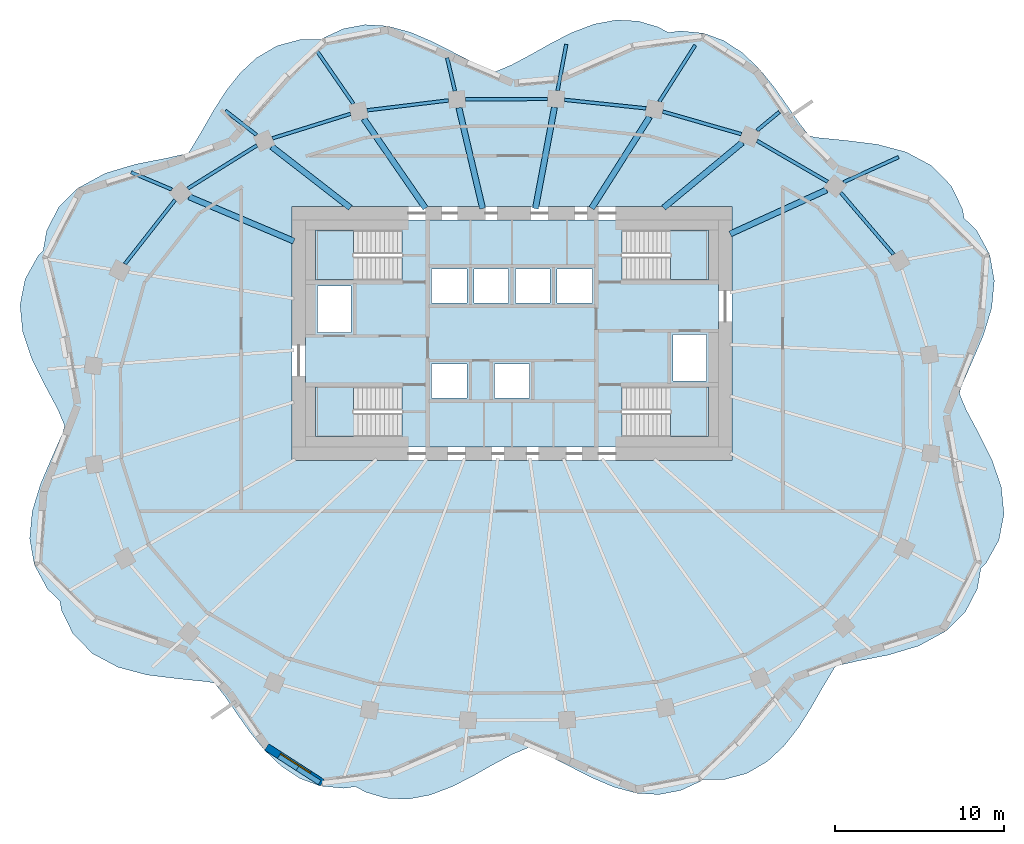
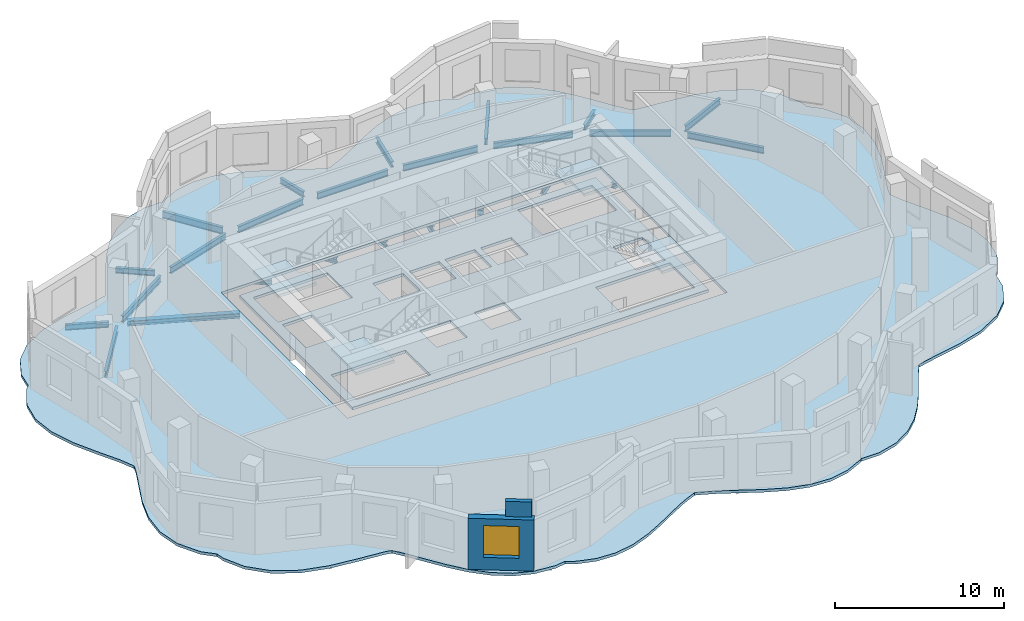
# One storey, part 2 of 8: 25 beams, 6 slabs, 2 walls, 1 window, 1 opening, 4 elements without a shape of their own.
"""IFC4 building model written with IfcOpenShell, lengths in metres."""

from ifc_helpers import new_model, si_unit, direction, frame, frame_2d, origin, origin_2d, place, context, subcontext, project, spatial, polyline, rectangle, i_section, outline, extrude, material, layer, layer_set, material_profile, profile_set, type_object, element, fill, aggregate, save


model = new_model("IFC4")

# Units and contexts
model_context = context("Model", 3, precision=1e-05, world=origin(), true_north=direction((0.0, 1.0)))
body_context = subcontext(model_context, "Body", "Model", "MODEL_VIEW")
ifc_project = project(units=[si_unit("LENGTHUNIT", "METRE"), si_unit("AREAUNIT", "SQUARE_METRE"), si_unit("VOLUMEUNIT", "CUBIC_METRE"), si_unit("PLANEANGLEUNIT", "RADIAN"), si_unit("MASSUNIT", "GRAM", prefix="KILO")], contexts=[model_context])

# Site, building, storey
site_placement = place(None, origin())
site = spatial("IfcSite", under=ifc_project, at=site_placement, CompositionType="ELEMENT")
building_placement = place(site_placement, origin())
building = spatial("IfcBuilding", under=site, at=building_placement, Name="Rubra Terraces Tower", CompositionType="ELEMENT")
storey_placement = place(building_placement, frame((0.0, 0.0, 240.89990234375)))
storey = spatial("IfcBuildingStorey", under=building, at=storey_placement, Name="L59", CompositionType="ELEMENT", Elevation=240.89990234375)

# Beams
ifc_material_1 = material(Name="Steel Q355B", Category="steel")
ifc_material_profile_1 = material_profile(ifc_material_1, i_section(OverallWidth=0.199951171875, OverallDepth=0.39990234375, WebThickness=0.008056640625, FlangeThickness=0.012939453125, at=origin_2d()), Name="HN 400x200x8x13")
ifc_profile_set_1 = profile_set([ifc_material_profile_1], Name="Steel Q355B")
beam_type_1 = type_object("IfcBeamType", Name="CANTILEVER BEAM HN 400x200x8x13", PredefinedType="BEAM", material=ifc_profile_set_1)
beam_1_placement = place(storey_placement, frame((14.47509765625, 16.4951171875, -0.39990234375), z_axis=(0.77029770599, 0.637684439316, 0.0), x_axis=(-0.637684439316, 0.77029770599, 0.0)))
element("IfcBeam", 1, at=beam_1_placement, inside=storey, type_object=beam_type_1, Name="beam-L59-cant-04", PredefinedType="BEAM", context=body_context, shape_type="SweptSolid", body=[
    extrude(i_section(OverallWidth=0.199951171875, OverallDepth=0.39990234375, WebThickness=0.008056640625, FlangeThickness=0.012939453125, at=origin_2d()), origin(), (0.0, 0.0, 1.0), 1.712158203125),
])
beam_2_placement = place(storey_placement, frame((2.695068359375, 18.85400390625, -0.39990234375), z_axis=(0.184719314681, 0.982791318024, 0.0), x_axis=(-0.982791318024, 0.184719314681, 0.0)))
element("IfcBeam", 2, at=beam_2_placement, inside=storey, type_object=beam_type_1, Name="beam-L59-cant-06", PredefinedType="BEAM", context=body_context, shape_type="SweptSolid", body=[
    extrude(i_section(OverallWidth=0.199951171875, OverallDepth=0.39990234375, WebThickness=0.008056640625, FlangeThickness=0.012939453125, at=origin_2d()), origin(), (0.0, 0.0, 1.0), 2.771484375),
])
beam_3_placement = place(storey_placement, frame((-3.3701171875, 18.823974609375, -0.39990234375), z_axis=(-0.229039333726, 0.973417168334, 0.0), x_axis=(-0.973417168334, -0.229039333726, 0.0)))
element("IfcBeam", 3, at=beam_3_placement, inside=storey, type_object=beam_type_1, Name="beam-L59-cant-07", PredefinedType="BEAM", context=body_context, shape_type="SweptSolid", body=[
    extrude(i_section(OverallWidth=0.199951171875, OverallDepth=0.39990234375, WebThickness=0.008056640625, FlangeThickness=0.012939453125, at=origin_2d()), origin(), (0.0, 0.0, 1.0), 2.016845703125),
])
beam_4_placement = place(storey_placement, frame((-15.087890625, 16.22705078125, -0.39990234375), z_axis=(-0.789644202525, 0.613565019716, 0.0), x_axis=(-0.613565019716, -0.789644202525, 0.0)))
element("IfcBeam", 4, at=beam_4_placement, inside=storey, type_object=beam_type_1, Name="beam-L59-cant-09", PredefinedType="BEAM", context=body_context, shape_type="SweptSolid", body=[
    extrude(i_section(OverallWidth=0.199951171875, OverallDepth=0.39990234375, WebThickness=0.008056640625, FlangeThickness=0.012939453125, at=origin_2d()), origin(), (0.0, 0.0, 1.0), 2.340576171875),
])
beam_5_placement = place(storey_placement, frame((-20.10205078125, 13.0048828125, -0.39990234375), z_axis=(-0.920891110766, 0.389819909846, 0.0), x_axis=(-0.389819909846, -0.920891110766, 0.0)))
element("IfcBeam", 5, at=beam_5_placement, inside=storey, type_object=beam_type_1, Name="beam-L59-cant-10", PredefinedType="BEAM", context=body_context, shape_type="SweptSolid", body=[
    extrude(i_section(OverallWidth=0.199951171875, OverallDepth=0.39990234375, WebThickness=0.008056640625, FlangeThickness=0.012939453125, at=origin_2d()), origin(), (0.0, 0.0, 1.0), 2.611572265625),
])
ifc_material_profile_2 = material_profile(ifc_material_1, i_section(OverallWidth=0.198974609375, OverallDepth=0.446044921875, WebThickness=0.008056640625, FlangeThickness=0.011962890625, at=origin_2d()), Name="HN 446x199x8x12")
ifc_profile_set_2 = profile_set([ifc_material_profile_2], Name="Steel Q355B")
beam_type_2 = type_object("IfcBeamType", Name="CANTILEVER BEAM HN 446x199x8x12", PredefinedType="BEAM", material=ifc_profile_set_2)
beam_6_placement = place(storey_placement, frame((19.596923828125, 13.43896484375, -0.4228515625), z_axis=(0.909750987553, 0.415154357614, 0.0), x_axis=(-0.415154357614, 0.909750987553, 0.0)))
element("IfcBeam", 6, at=beam_6_placement, inside=storey, type_object=beam_type_2, Name="beam-L59-cant-03", PredefinedType="BEAM", context=body_context, shape_type="SweptSolid", body=[
    extrude(i_section(OverallWidth=0.198974609375, OverallDepth=0.446044921875, WebThickness=0.008056640625, FlangeThickness=0.011962890625, at=origin_2d()), origin(), (0.0, 0.0, 1.0), 3.56494140625),
])
ifc_material_profile_3 = material_profile(ifc_material_1, i_section(OverallWidth=0.198974609375, OverallDepth=0.49609375, WebThickness=0.009033203125, FlangeThickness=0.013916015625, at=origin_2d()), Name="HN 496x199x9x14")
ifc_profile_set_3 = profile_set([ifc_material_profile_3], Name="Steel Q355B")
beam_type_3 = type_object("IfcBeamType", Name="CANTILEVER BEAM HN 496x199x9x14", PredefinedType="BEAM", material=ifc_profile_set_3)
beam_7_placement = place(storey_placement, frame((8.7099609375, 18.201904296875, -0.447998046875), z_axis=(0.536427545347, 0.843946377795, 0.0), x_axis=(-0.843946377795, 0.536427545347, 0.0)))
element("IfcBeam", 7, at=beam_7_placement, inside=storey, type_object=beam_type_3, Name="beam-L59-cant-05", PredefinedType="BEAM", context=body_context, shape_type="SweptSolid", body=[
    extrude(i_section(OverallWidth=0.198974609375, OverallDepth=0.49609375, WebThickness=0.009033203125, FlangeThickness=0.013916015625, at=origin_2d()), origin(), (0.0, 0.0, 1.0), 3.950439453125),
])
beam_8_placement = place(storey_placement, frame((-9.3701171875, 18.070068359375, -0.447998046875), z_axis=(-0.568216621414, 0.822879013676, 0.0), x_axis=(-0.822879013676, -0.568216621414, 0.0)))
element("IfcBeam", 8, at=beam_8_placement, inside=storey, type_object=beam_type_3, Name="beam-L59-cant-08", PredefinedType="BEAM", context=body_context, shape_type="SweptSolid", body=[
    extrude(i_section(OverallWidth=0.198974609375, OverallDepth=0.49609375, WebThickness=0.009033203125, FlangeThickness=0.013916015625, at=origin_2d()), origin(), (0.0, 0.0, 1.0), 3.95068359375),
])
ifc_material_profile_4 = material_profile(ifc_material_1, i_section(OverallWidth=0.35009765625, OverallDepth=0.35009765625, WebThickness=0.011962890625, FlangeThickness=0.01904296875, at=origin_2d()), Name="HW 350x350x12x19")
ifc_profile_set_4 = profile_set([ifc_material_profile_4], Name="Steel Q355B")
beam_type_4 = type_object("IfcBeamType", Name="FLOOR BEAM HW 350x350x12x19", PredefinedType="BEAM", material=ifc_profile_set_4)
beam_9_placement = place(storey_placement, frame((18.5869140625, 12.97900390625, -0.375), z_axis=(-0.909756526533, -0.415142219523, 0.0), x_axis=(0.415142219523, -0.909756526533, 0.0)))
element("IfcBeam", 9, at=beam_9_placement, inside=storey, type_object=beam_type_4, Name="beam-L59-floor-03", PredefinedType="BEAM", context=body_context, shape_type="SweptSolid", body=[
    extrude(i_section(OverallWidth=0.35009765625, OverallDepth=0.35009765625, WebThickness=0.011962890625, FlangeThickness=0.01904296875, at=origin_2d()), origin(), (0.0, 0.0, 1.0), 6.2607421875),
])
beam_10_placement = place(storey_placement, frame((13.60888671875, 15.777099609375, -0.375), z_axis=(-0.769987518392, -0.638058948312, 0.0), x_axis=(0.638058948312, -0.769987518392, 0.0)))
element("IfcBeam", 10, at=beam_10_placement, inside=storey, type_object=beam_type_4, Name="beam-L59-floor-04", PredefinedType="BEAM", context=body_context, shape_type="SweptSolid", body=[
    extrude(i_section(OverallWidth=0.35009765625, OverallDepth=0.35009765625, WebThickness=0.011962890625, FlangeThickness=0.01904296875, at=origin_2d()), origin(), (0.0, 0.0, 1.0), 6.040283203125),
])
beam_11_placement = place(storey_placement, frame((8.134033203125, 17.2958984375, -0.375), z_axis=(-0.536509861106, -0.843894050776, 0.0), x_axis=(0.843894050776, -0.536509861106, 0.0)))
element("IfcBeam", 11, at=beam_11_placement, inside=storey, type_object=beam_type_4, Name="beam-L59-floor-05", PredefinedType="BEAM", context=body_context, shape_type="SweptSolid", body=[
    extrude(i_section(OverallWidth=0.35009765625, OverallDepth=0.35009765625, WebThickness=0.011962890625, FlangeThickness=0.01904296875, at=origin_2d()), origin(), (0.0, 0.0, 1.0), 6.395263671875),
])
beam_12_placement = place(storey_placement, frame((2.509033203125, 17.862060546875, -0.375), z_axis=(-0.184574398021, -0.982818544593, 0.0), x_axis=(0.982818544593, -0.184574398021, 0.0)))
element("IfcBeam", 12, at=beam_12_placement, inside=storey, type_object=beam_type_4, Name="beam-L59-floor-06", PredefinedType="BEAM", context=body_context, shape_type="SweptSolid", body=[
    extrude(i_section(OverallWidth=0.35009765625, OverallDepth=0.35009765625, WebThickness=0.011962890625, FlangeThickness=0.01904296875, at=origin_2d()), origin(), (0.0, 0.0, 1.0), 6.08447265625),
])
beam_13_placement = place(storey_placement, frame((-3.137939453125, 17.8359375, -0.375), z_axis=(0.229070485592, -0.973409837957, 0.0), x_axis=(0.973409837957, 0.229070485592, 0.0)))
element("IfcBeam", 13, at=beam_13_placement, inside=storey, type_object=beam_type_4, Name="beam-L59-floor-07", PredefinedType="BEAM", context=body_context, shape_type="SweptSolid", body=[
    extrude(i_section(OverallWidth=0.35009765625, OverallDepth=0.35009765625, WebThickness=0.011962890625, FlangeThickness=0.01904296875, at=origin_2d()), origin(), (0.0, 0.0, 1.0), 6.115478515625),
])
beam_14_placement = place(storey_placement, frame((-8.756103515625, 17.179931640625, -0.375), z_axis=(0.568186422001, -0.822899866238, 0.0), x_axis=(0.822899866238, 0.568186422001, 0.0)))
element("IfcBeam", 14, at=beam_14_placement, inside=storey, type_object=beam_type_4, Name="beam-L59-floor-08", PredefinedType="BEAM", context=body_context, shape_type="SweptSolid", body=[
    extrude(i_section(OverallWidth=0.35009765625, OverallDepth=0.35009765625, WebThickness=0.011962890625, FlangeThickness=0.01904296875, at=origin_2d()), origin(), (0.0, 0.0, 1.0), 6.415283203125),
])
beam_15_placement = place(storey_placement, frame((-14.197998046875, 15.534912109375, -0.375), z_axis=(0.789548898228, -0.613687654517, 0.0), x_axis=(0.613687654517, 0.789548898228, 0.0)))
element("IfcBeam", 15, at=beam_15_placement, inside=storey, type_object=beam_type_4, Name="beam-L59-floor-09", PredefinedType="BEAM", context=body_context, shape_type="SweptSolid", body=[
    extrude(i_section(OverallWidth=0.35009765625, OverallDepth=0.35009765625, WebThickness=0.011962890625, FlangeThickness=0.01904296875, at=origin_2d()), origin(), (0.0, 0.0, 1.0), 5.880615234375),
])
beam_16_placement = place(storey_placement, frame((-19.083984375, 12.574951171875, -0.375), z_axis=(0.92097476483, -0.38962223056, 0.0), x_axis=(0.38962223056, 0.92097476483, 0.0)))
element("IfcBeam", 16, at=beam_16_placement, inside=storey, type_object=beam_type_4, Name="beam-L59-floor-10", PredefinedType="BEAM", context=body_context, shape_type="SweptSolid", body=[
    extrude(i_section(OverallWidth=0.35009765625, OverallDepth=0.35009765625, WebThickness=0.011962890625, FlangeThickness=0.01904296875, at=origin_2d()), origin(), (0.0, 0.0, 1.0), 6.7265625),
])
ifc_material_profile_5 = material_profile(ifc_material_1, i_section(OverallWidth=0.198974609375, OverallDepth=0.446044921875, WebThickness=0.008056640625, FlangeThickness=0.011962890625, at=origin_2d()), Name="HN 446x199x8x12")
ifc_profile_set_5 = profile_set([ifc_material_profile_5], Name="Steel Q355B")
beam_type_5 = type_object("IfcBeamType", Name="SPANDREL BEAM HN 446x199x8x12", PredefinedType="SPANDREL", material=ifc_profile_set_5)
beam_17_placement = place(storey_placement, frame((22.547119140625, 9.174072265625, -0.4228515625), z_axis=(-0.650372836218, 0.759615148552, 0.0), x_axis=(-0.759615148552, -0.650372836218, 0.0)))
element("IfcBeam", 17, at=beam_17_placement, inside=storey, type_object=beam_type_5, Name="beam-L59-spandrel-02", PredefinedType="SPANDREL", context=body_context, shape_type="SweptSolid", body=[
    extrude(i_section(OverallWidth=0.198974609375, OverallDepth=0.446044921875, WebThickness=0.008056640625, FlangeThickness=0.011962890625, at=origin_2d()), origin(), (0.0, 0.0, 1.0), 4.804931640625),
])
beam_18_placement = place(storey_placement, frame((18.653076171875, 13.462890625, -0.4228515625), z_axis=(-0.865153680787, 0.501506838059, 0.0), x_axis=(-0.501506838059, -0.865153680787, 0.0)))
element("IfcBeam", 18, at=beam_18_placement, inside=storey, type_object=beam_type_5, Name="beam-L59-spandrel-03", PredefinedType="SPANDREL", context=body_context, shape_type="SweptSolid", body=[
    extrude(i_section(OverallWidth=0.198974609375, OverallDepth=0.446044921875, WebThickness=0.008056640625, FlangeThickness=0.011962890625, at=origin_2d()), origin(), (0.0, 0.0, 1.0), 4.82568359375),
])
beam_19_placement = place(storey_placement, frame((13.55810546875, 16.27490234375, -0.4228515625), z_axis=(-0.961171164323, 0.275952881621, 0.0), x_axis=(-0.275952881621, -0.961171164323, 0.0)))
element("IfcBeam", 19, at=beam_19_placement, inside=storey, type_object=beam_type_5, Name="beam-L59-spandrel-04", PredefinedType="SPANDREL", context=body_context, shape_type="SweptSolid", body=[
    extrude(i_section(OverallWidth=0.198974609375, OverallDepth=0.446044921875, WebThickness=0.008056640625, FlangeThickness=0.011962890625, at=origin_2d()), origin(), (0.0, 0.0, 1.0), 4.842041015625),
])
beam_20_placement = place(storey_placement, frame((7.923095703125, 17.801025390625, -0.4228515625), z_axis=(-0.994565426955, 0.104113454971, 0.0), x_axis=(-0.104113454971, -0.994565426955, 0.0)))
element("IfcBeam", 20, at=beam_20_placement, inside=storey, type_object=beam_type_5, Name="beam-L59-spandrel-05", PredefinedType="SPANDREL", context=body_context, shape_type="SweptSolid", body=[
    extrude(i_section(OverallWidth=0.198974609375, OverallDepth=0.446044921875, WebThickness=0.008056640625, FlangeThickness=0.011962890625, at=origin_2d()), origin(), (0.0, 0.0, 1.0), 4.849365234375),
])
beam_21_placement = place(storey_placement, frame((2.10107421875, 18.35595703125, -0.4228515625), z_axis=(-0.999987852299, -0.004929021704, 0.0), x_axis=(0.004929021704, -0.999987852299, 0.0)))
element("IfcBeam", 21, at=beam_21_placement, inside=storey, type_object=beam_type_5, Name="beam-L59-spandrel-06", PredefinedType="SPANDREL", context=body_context, shape_type="SweptSolid", body=[
    extrude(i_section(OverallWidth=0.198974609375, OverallDepth=0.446044921875, WebThickness=0.008056640625, FlangeThickness=0.011962890625, at=origin_2d()), origin(), (0.0, 0.0, 1.0), 4.85400390625),
])
beam_22_placement = place(storey_placement, frame((-3.7509765625, 18.27001953125, -0.4228515625), z_axis=(-0.992698018573, -0.120626049929, 0.0), x_axis=(0.120626049929, -0.992698018573, 0.0)))
element("IfcBeam", 22, at=beam_22_placement, inside=storey, type_object=beam_type_5, Name="beam-L59-spandrel-07", PredefinedType="SPANDREL", context=body_context, shape_type="SweptSolid", body=[
    extrude(i_section(OverallWidth=0.198974609375, OverallDepth=0.446044921875, WebThickness=0.008056640625, FlangeThickness=0.011962890625, at=origin_2d()), origin(), (0.0, 0.0, 1.0), 4.849365234375),
])
beam_23_placement = place(storey_placement, frame((-9.5419921875, 17.47509765625, -0.4228515625), z_axis=(-0.954462027342, -0.298332429282, 0.0), x_axis=(0.298332429282, -0.954462027342, 0.0)))
element("IfcBeam", 23, at=beam_23_placement, inside=storey, type_object=beam_type_5, Name="beam-L59-spandrel-08", PredefinedType="SPANDREL", context=body_context, shape_type="SweptSolid", body=[
    extrude(i_section(OverallWidth=0.198974609375, OverallDepth=0.446044921875, WebThickness=0.008056640625, FlangeThickness=0.011962890625, at=origin_2d()), origin(), (0.0, 0.0, 1.0), 4.840576171875),
])
beam_24_placement = place(storey_placement, frame((-15.071044921875, 15.614013671875, -0.4228515625), z_axis=(-0.848183088492, -0.529703170083, 0.0), x_axis=(0.529703170083, -0.848183088492, 0.0)))
element("IfcBeam", 24, at=beam_24_placement, inside=storey, type_object=beam_type_5, Name="beam-L59-spandrel-09", PredefinedType="SPANDREL", context=body_context, shape_type="SweptSolid", body=[
    extrude(i_section(OverallWidth=0.198974609375, OverallDepth=0.446044921875, WebThickness=0.008056640625, FlangeThickness=0.011962890625, at=origin_2d()), origin(), (0.0, 0.0, 1.0), 4.8232421875),
])
beam_25_placement = place(storey_placement, frame((-19.906005859375, 12.39111328125, -0.4228515625), z_axis=(-0.617060338015, -0.786915840004, 0.0), x_axis=(0.786915840004, -0.617060338015, 0.0)))
element("IfcBeam", 25, at=beam_25_placement, inside=storey, type_object=beam_type_5, Name="beam-L59-spandrel-10", PredefinedType="SPANDREL", context=body_context, shape_type="SweptSolid", body=[
    extrude(i_section(OverallWidth=0.198974609375, OverallDepth=0.446044921875, WebThickness=0.008056640625, FlangeThickness=0.011962890625, at=origin_2d()), origin(), (0.0, 0.0, 1.0), 4.8037109375),
])

# Slab
ifc_material_2 = material(Name="Concrete C40", Category="concrete")
ifc_layer_1 = layer(ifc_material_2, 0.199951171875)
ifc_layer_set_1 = layer_set([ifc_layer_1], Name="Concrete C40")
slab_type_1 = type_object("IfcSlabType", Name="Core floor slab 200 concrete", PredefinedType="FLOOR", material=ifc_layer_set_1)
slab_1_placement = place(storey_placement, frame((0.0, 0.0, -0.199951171875)))
element("IfcSlab", 26, at=slab_1_placement, inside=storey, type_object=slab_type_1, Name="CORE FLOOR SLAB L59", PredefinedType="FLOOR", context=body_context, shape_type="SweptSolid", body=[
    extrude(outline(polyline([(-12.199951171875, -2.199951171875), (-12.199951171875, 11.199951171875), (12.199951171875, 11.199951171875), (12.199951171875, -2.199951171875), (-12.199951171875, -2.199951171875)]), holes=[polyline([(11.597900390625, 1.347900390625), (6.501953125, 1.347900390625), (6.501953125, -1.597900390625), (11.597900390625, -1.597900390625), (11.597900390625, 1.347900390625)]), polyline([(11.597900390625, 7.652099609375), (11.597900390625, 10.597900390625), (6.501953125, 10.597900390625), (6.501953125, 7.652099609375), (11.597900390625, 7.652099609375)]), polyline([(9.5, 1.699951171875), (11.5, 1.699951171875), (11.5, 4.449951171875), (9.5, 4.449951171875), (9.5, 1.699951171875)]), polyline([(4.75, 6.300048828125), (4.75, 8.300048828125), (2.64990234375, 8.300048828125), (2.64990234375, 6.300048828125), (4.75, 6.300048828125)]), polyline([(2.25, 8.300048828125), (0.199951171875, 8.300048828125), (0.199951171875, 6.300048828125), (2.25, 6.300048828125), (2.25, 8.300048828125)]), polyline([(1.02490234375, 0.699951171875), (1.02490234375, 2.699951171875), (-1.02490234375, 2.699951171875), (-1.02490234375, 0.699951171875), (1.02490234375, 0.699951171875)]), polyline([(-0.199951171875, 6.300048828125), (-0.199951171875, 8.300048828125), (-2.25, 8.300048828125), (-2.25, 6.300048828125), (-0.199951171875, 6.300048828125)]), polyline([(-4.75, 8.300048828125), (-4.75, 6.300048828125), (-2.64990234375, 6.300048828125), (-2.64990234375, 8.300048828125), (-4.75, 8.300048828125)]), polyline([(-2.64990234375, 0.699951171875), (-2.64990234375, 2.699951171875), (-4.75, 2.699951171875), (-4.75, 0.699951171875), (-2.64990234375, 0.699951171875)]), polyline([(-11.597900390625, -1.597900390625), (-6.501953125, -1.597900390625), (-6.501953125, 1.347900390625), (-11.597900390625, 1.347900390625), (-11.597900390625, -1.597900390625)]), polyline([(-11.597900390625, 10.597900390625), (-11.597900390625, 7.652099609375), (-6.501953125, 7.652099609375), (-6.501953125, 10.597900390625), (-11.597900390625, 10.597900390625)]), polyline([(-9.5, 4.550048828125), (-9.5, 7.300048828125), (-11.5, 7.300048828125), (-11.5, 4.550048828125), (-9.5, 4.550048828125)])]), origin(), (0.0, 0.0, 1.0), 0.199951171875),
])

# Stair, slab
stair_type = type_object("IfcStairType", Name="Core stair 1400", PredefinedType="HALF_TURN_STAIR", material=ifc_material_2)
stair_1_placement = place(storey_placement, origin())
stair_1 = element("IfcStair", 27, at=stair_1_placement, inside=storey, type_object=stair_type, Name="L59 Exit stair S1", PredefinedType="HALF_TURN_STAIR")
ifc_layer_2 = layer(ifc_material_2, 0.199951171875)
ifc_layer_set_2 = layer_set([ifc_layer_2], Name="Concrete C40")
slab_type_2 = type_object("IfcSlabType", Name="Core stair landing 200", PredefinedType="LANDING", material=ifc_layer_set_2)
slab_2_placement = place(storey_placement, frame((0.0, 0.0, 1.75)))
slab_2 = element("IfcSlab", 28, at=slab_2_placement, type_object=slab_type_2, Name="S1 landing 1", PredefinedType="LANDING", context=body_context, shape_type="SweptSolid", body=[
    extrude(outline(polyline([(-8.97998046875, -0.199951171875), (-8.97998046875, -1.60009765625), (-9.360107421875, -1.60009765625), (-9.3798828125, -1.60009765625), (-11.60009765625, -1.60009765625), (-11.60009765625, 1.35009765625), (-9.3798828125, 1.35009765625), (-9.35791015625, 1.35009765625), (-9.35791015625, -0.050048828125), (-9.360107421875, -0.050048828125), (-9.360107421875, -0.199951171875), (-8.97998046875, -0.199951171875)])), origin(), (0.0, 0.0, 1.0), 0.2001953125),
])
aggregate(stair_1, [slab_2])

stair_2_placement = place(storey_placement, origin())
stair_2 = element("IfcStair", 29, at=stair_2_placement, inside=storey, type_object=stair_type, Name="L59 Exit stair S2", PredefinedType="HALF_TURN_STAIR")
slab_3_placement = place(storey_placement, frame((0.0, 0.0, 1.75)))
slab_3 = element("IfcSlab", 30, at=slab_3_placement, type_object=slab_type_2, Name="S2 landing 1", PredefinedType="LANDING", context=body_context, shape_type="SweptSolid", body=[
    extrude(outline(polyline([(-8.97998046875, 9.050048828125), (-8.97998046875, 7.64990234375), (-9.3798828125, 7.64990234375), (-11.60009765625, 7.64990234375), (-11.60009765625, 10.60009765625), (-9.3798828125, 10.60009765625), (-9.360107421875, 10.60009765625), (-9.35791015625, 10.60009765625), (-9.35791015625, 9.199951171875), (-9.360107421875, 9.199951171875), (-9.360107421875, 9.050048828125), (-8.97998046875, 9.050048828125)])), origin(), (0.0, 0.0, 1.0), 0.2001953125),
])
aggregate(stair_2, [slab_3])

stair_3_placement = place(storey_placement, origin())
stair_3 = element("IfcStair", 31, at=stair_3_placement, inside=storey, type_object=stair_type, Name="L59 Exit stair S3", PredefinedType="HALF_TURN_STAIR")
slab_4_placement = place(storey_placement, frame((0.0, 0.0, 1.75)))
slab_4 = element("IfcSlab", 32, at=slab_4_placement, type_object=slab_type_2, Name="S3 landing 1", PredefinedType="LANDING", context=body_context, shape_type="SweptSolid", body=[
    extrude(outline(polyline([(9.360107421875, 9.050048828125), (9.360107421875, 9.199951171875), (8.97998046875, 9.199951171875), (8.97998046875, 10.60009765625), (9.360107421875, 10.60009765625), (9.3798828125, 10.60009765625), (11.60009765625, 10.60009765625), (11.60009765625, 7.64990234375), (9.3798828125, 7.64990234375), (9.35791015625, 7.64990234375), (9.35791015625, 9.050048828125), (9.360107421875, 9.050048828125)])), origin(), (0.0, 0.0, 1.0), 0.2001953125),
])
aggregate(stair_3, [slab_4])

stair_4_placement = place(storey_placement, origin())
stair_4 = element("IfcStair", 33, at=stair_4_placement, inside=storey, type_object=stair_type, Name="L59 Exit stair S4", PredefinedType="HALF_TURN_STAIR")
slab_5_placement = place(storey_placement, frame((0.0, 0.0, 1.75)))
slab_5 = element("IfcSlab", 34, at=slab_5_placement, type_object=slab_type_2, Name="S4 landing 1", PredefinedType="LANDING", context=body_context, shape_type="SweptSolid", body=[
    extrude(outline(polyline([(9.360107421875, -0.199951171875), (9.360107421875, -0.050048828125), (8.97998046875, -0.050048828125), (8.97998046875, 1.35009765625), (9.360107421875, 1.35009765625), (9.3798828125, 1.35009765625), (11.60009765625, 1.35009765625), (11.60009765625, -1.60009765625), (9.3798828125, -1.60009765625), (9.360107421875, -1.60009765625), (9.35791015625, -1.60009765625), (9.35791015625, -0.199951171875), (9.360107421875, -0.199951171875)])), origin(), (0.0, 0.0, 1.0), 0.2001953125),
])
aggregate(stair_4, [slab_5])

# Slab
ifc_layer_3 = layer(ifc_material_2, 0.199951171875)
ifc_layer_set_3 = layer_set([ifc_layer_3], Name="Concrete C40")
slab_type_3 = type_object("IfcSlabType", Name="FLOOR SLAB 200 COMPOSITE", PredefinedType="FLOOR", material=ifc_layer_set_3)
slab_6_placement = place(storey_placement, frame((0.0, 0.0, -0.199951171875)))
element("IfcSlab", 35, at=slab_6_placement, inside=storey, type_object=slab_type_3, Name="FLOOR SLAB L59", PredefinedType="FLOOR", context=body_context, shape_type="SweptSolid", body=[
    extrude(outline(polyline([(-3.528076171875, -22.27490234375), (-2.3291015625, -21.662109375), (-1.156005859375, -20.9990234375), (0.0, -20.383056640625), (0.97802734375, -19.965087890625), (1.10009765625, -19.9990234375), (2.2060546875, -20.471923828125), (3.3330078125, -21.044921875), (4.64990234375, -21.718994140625), (5.9990234375, -22.298095703125), (7.364990234375, -22.66796875), (8.68798828125, -22.74609375), (9.969970703125, -22.5029296875), (11.180908203125, -21.943115234375), (11.287109375, -21.865966796875), (12.552978515625, -21.85595703125), (13.886962890625, -21.4951171875), (15.10009765625, -20.782958984375), (16.069091796875, -19.883056640625), (16.9140625, -18.81005859375), (17.65087890625, -17.65087890625), (18.34912109375, -16.429931640625), (19.02294921875, -15.304931640625), (19.14306640625, -15.14306640625), (20.443115234375, -14.85302734375), (22.22412109375, -14.506103515625), (24.031982421875, -13.967041015625), (25.6650390625, -13.076904296875), (26.780029296875, -11.968994140625), (27.4951171875, -10.587890625), (27.708984375, -9.381103515625), (28.0, -9.097900390625), (28.77099609375, -7.715087890625), (29.072021484375, -6.176025390625), (28.912109375, -4.5791015625), (28.365966796875, -2.970947265625), (27.60498046875, -1.447998046875), (26.8330078125, 0.0), (26.429931640625, 0.955078125), (26.56689453125, 1.409912109375), (27.200927734375, 2.863037109375), (27.864990234375, 4.4130859375), (28.345947265625, 6.0), (28.501953125, 7.617919921875), (28.22607421875, 9.1708984375), (27.449951171875, 10.60400390625), (26.719970703125, 11.302001953125), (26.618896484375, 11.860107421875), (25.9541015625, 13.22412109375), (24.791015625, 14.4169921875), (23.280029296875, 15.22412109375), (21.576904296875, 15.677001953125), (19.7109375, 15.906982421875), (17.967041015625, 16.08203125), (17.56591796875, 16.169921875), (16.9560546875, 16.9560546875), (16.235107421875, 18.0), (15.468017578125, 19.083984375), (14.62109375, 20.1240234375), (13.6298828125, 21.072998046875), (12.529052734375, 21.798095703125), (11.3330078125, 22.240966796875), (9.931884765625, 22.3759765625), (8.489013671875, 22.1650390625), (9.2470703125, 22.27587890625), (8.634033203125, 22.60888671875), (7.4599609375, 22.958984375), (6.156982421875, 23.02197265625), (4.837890625, 22.77490234375), (3.528076171875, 22.27490234375), (2.3291015625, 21.662109375), (1.156005859375, 20.9990234375), (0.0, 20.383056640625), (-0.97802734375, 19.965087890625), (-1.10009765625, 19.9990234375), (-2.2060546875, 20.471923828125), (-3.3330078125, 21.044921875), (-4.64990234375, 21.718994140625), (-5.9990234375, 22.298095703125), (-7.364990234375, 22.66796875), (-8.68798828125, 22.74609375), (-9.969970703125, 22.5029296875), (-11.180908203125, 21.943115234375), (-11.287109375, 21.865966796875), (-12.552978515625, 21.85595703125), (-13.886962890625, 21.4951171875), (-15.10009765625, 20.782958984375), (-16.069091796875, 19.883056640625), (-16.9140625, 18.81005859375), (-17.65087890625, 17.65087890625), (-18.34912109375, 16.429931640625), (-19.02294921875, 15.304931640625), (-19.14306640625, 15.14306640625), (-20.443115234375, 14.85302734375), (-22.22412109375, 14.506103515625), (-24.031982421875, 13.967041015625), (-25.6650390625, 13.076904296875), (-26.780029296875, 11.968994140625), (-27.4951171875, 10.587890625), (-27.708984375, 9.381103515625), (-28.0, 9.097900390625), (-28.77099609375, 7.715087890625), (-29.072021484375, 6.176025390625), (-28.912109375, 4.5791015625), (-28.365966796875, 2.970947265625), (-27.60498046875, 1.447998046875), (-26.8330078125, 0.0), (-26.429931640625, -0.955078125), (-26.56689453125, -1.409912109375), (-27.200927734375, -2.863037109375), (-27.864990234375, -4.4130859375), (-28.345947265625, -6.0), (-28.501953125, -7.617919921875), (-28.22607421875, -9.1708984375), (-27.449951171875, -10.60400390625), (-26.719970703125, -11.302001953125), (-26.618896484375, -11.860107421875), (-25.9541015625, -13.22412109375), (-24.791015625, -14.4169921875), (-23.280029296875, -15.22412109375), (-21.576904296875, -15.677001953125), (-19.7109375, -15.906982421875), (-17.967041015625, -16.08203125), (-17.56591796875, -16.169921875), (-16.9560546875, -16.9560546875), (-16.235107421875, -18.0), (-15.468017578125, -19.083984375), (-14.62109375, -20.1240234375), (-13.6298828125, -21.072998046875), (-12.529052734375, -21.798095703125), (-11.3330078125, -22.240966796875), (-9.931884765625, -22.3759765625), (-8.489013671875, -22.1650390625), (-9.2470703125, -22.27587890625), (-8.634033203125, -22.60888671875), (-7.4599609375, -22.958984375), (-6.156982421875, -23.02197265625), (-4.837890625, -22.77490234375), (-3.528076171875, -22.27490234375)]), holes=[polyline([(13.0, 12.0), (13.0, -3.0), (-13.0, -3.0), (-13.0, 12.0), (13.0, 12.0)])]), origin(), (0.0, 0.0, 1.0), 0.199951171875),
])

# Wall, opening, window
ifc_material_3 = material(Name="Brick masonry red-brown", Category="masonry")
ifc_layer_4 = layer(ifc_material_3, 0.449951171875)
ifc_layer_set_4 = layer_set([ifc_layer_4], Name="Brick masonry red-brown")
wall_type_1 = type_object("IfcWallType", Name="Brick facade wall 450", PredefinedType="SOLIDWALL", material=ifc_layer_set_4)
wall_1_placement = place(storey_placement, frame((-14.499267578125, -19.934814453125, 0.0), z_axis=(0.0, 0.0, 1.0), x_axis=(0.84080910763, -0.541331732422, 0.0)))
wall_1 = element("IfcWall", 36, at=wall_1_placement, inside=storey, type_object=wall_type_1, Name="Facade wall L59 bay 27", PredefinedType="SOLIDWALL", context=body_context, shape_type="SweptSolid", body=[
    extrude(rectangle(XDim=3.91064453125, YDim=0.449951171875, at=frame_2d((1.955322265625, 0.0))), origin(), (0.0, 0.0, 1.0), 3.7001953125),
])
opening_placement = place(wall_1_placement, frame((0.9052734375, 0.0, 0.89990234375)))
opening = element("IfcOpeningElement", 37, at=opening_placement, cuts=wall_1, Name="Opening W1B", PredefinedType="OPENING", context=body_context, shape_type="SweptSolid", body=[
    extrude(rectangle(XDim=2.10009765625, YDim=2.300048828125, at=frame_2d((1.050048828125, 1.14990234375))), frame((0.0, 0.23486328125, 0.0), z_axis=(0.0, -1.0, 0.0), x_axis=(1.0, 0.0, 0.0)), (0.0, 0.0, 1.0), 0.469970703125),
])
ifc_material_4 = material(Name="Clear glass in aluminium frame", Category="aluminium")
window_type = type_object("IfcWindowType", Name="Fixed deep-set window tall storey 2100 x 2300", PartitioningType="SINGLE_PANEL", PredefinedType="WINDOW", material=ifc_material_4)
window_placement = place(opening_placement, origin())
window = element("IfcWindow", 38, at=window_placement, inside=storey, type_object=window_type, Name="Window L59 bay 27", OverallHeight=2.300048828125, OverallWidth=2.10009765625, PartitioningType="SINGLE_PANEL", PredefinedType="WINDOW", context=body_context, shape_type="SweptSolid", body=[
    extrude(rectangle(XDim=2.10009765625, YDim=2.300048828125, at=frame_2d((1.050048828125, 1.14990234375))), frame((0.0, 0.135009765625, 0.0), z_axis=(0.0, -1.0, 0.0), x_axis=(1.0, 0.0, 0.0)), (0.0, 0.0, 1.0), 0.06005859375),
])
fill(opening, window)

# Wall
ifc_layer_5 = layer(ifc_material_3, 0.300048828125)
ifc_layer_set_5 = layer_set([ifc_layer_5], Name="Brick masonry red-brown")
wall_type_2 = type_object("IfcWallType", Name="Brick parapet 300", PredefinedType="PARAPET", material=ifc_layer_set_5)
wall_2_placement = place(storey_placement, frame((-12.680419921875, -21.195068359375, 3.900146484375), z_axis=(0.0, 0.0, 1.0), x_axis=(0.840806975541, -0.541335044018, 0.0)))
element("IfcWall", 39, at=wall_2_placement, inside=storey, type_object=wall_type_2, Name="Parapet L59 bay 27", PredefinedType="PARAPET", context=body_context, shape_type="SweptSolid", body=[
    extrude(rectangle(XDim=1.5595703125, YDim=0.300048828125, at=frame_2d((0.77978515625, 0.0))), origin(), (0.0, 0.0, 1.0), 1.099853515625),
])

save(model, "model.ifc")
